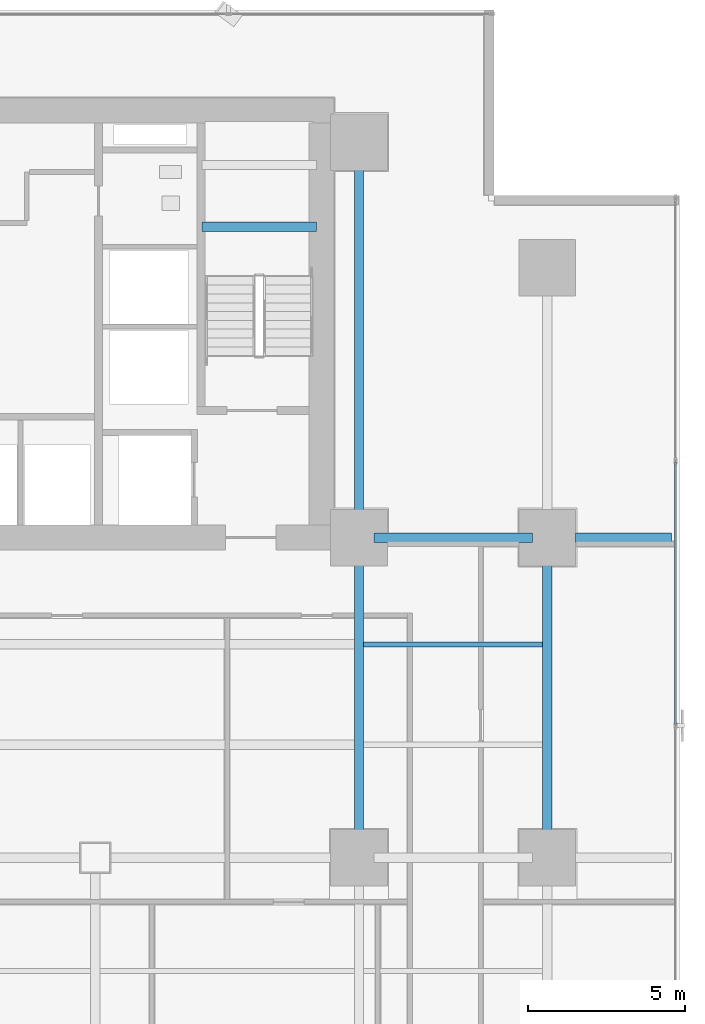
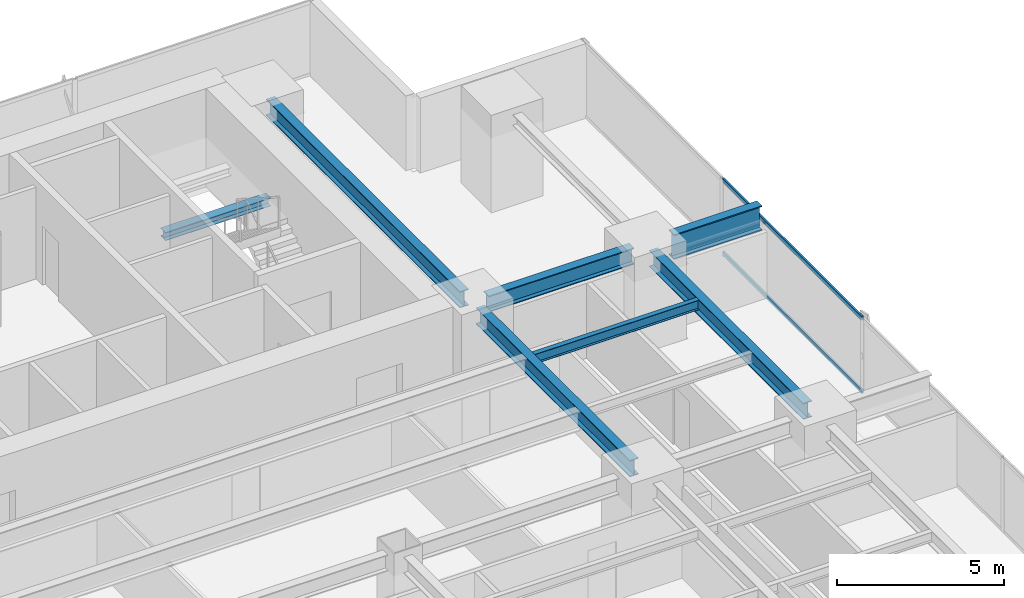
# One storey, part 19 of 32: 7 beams, 2 members, 1 element without a shape of its own.
"""IFC4 building model written with IfcOpenShell, lengths in metres."""

from ifc_helpers import new_model, si_unit, direction, frame, origin, origin_2d, place, context, subcontext, project, spatial, hollow_rectangle, i_section, extrude, source, transform, mapped, material, layer, layer_set, material_profile, profile_set, type_object, element, aggregate, save


model = new_model("IFC4")

# Units and contexts
model_context = context("Model", 3, precision=1e-05, world=origin(), true_north=direction((0.0, 1.0)))
body_context = subcontext(model_context, "Body", "Model", "MODEL_VIEW")
ifc_project = project(units=[si_unit("LENGTHUNIT", "METRE"), si_unit("AREAUNIT", "SQUARE_METRE"), si_unit("VOLUMEUNIT", "CUBIC_METRE"), si_unit("PLANEANGLEUNIT", "RADIAN"), si_unit("MASSUNIT", "GRAM", prefix="KILO")], contexts=[model_context])

# Site, building, storey
site_placement = place(None, origin())
site = spatial("IfcSite", under=ifc_project, at=site_placement, CompositionType="ELEMENT")
building_placement = place(site_placement, origin())
building = spatial("IfcBuilding", under=site, at=building_placement, Name="Sumidabori Civic Tower", CompositionType="ELEMENT")
storey_placement = place(building_placement, frame((0.0, 0.0, 52.39990234375)))
storey = spatial("IfcBuildingStorey", under=building, at=storey_placement, Name="L13", CompositionType="ELEMENT", Elevation=52.39990234375)

# Beams
ifc_material_1 = material(Name="Steel SN490", Category="steel")
ifc_material_profile_1 = material_profile(ifc_material_1, i_section(OverallWidth=0.300048828125, OverallDepth=0.300048828125, WebThickness=0.010986328125, FlangeThickness=0.01904296875, at=origin_2d()), Name="HE 300 B")
ifc_profile_set_1 = profile_set([ifc_material_profile_1], Name="Steel SN490")
beam_type_1 = type_object("IfcBeamType", Name="BM-LDG-300", PredefinedType="BEAM", material=ifc_profile_set_1)
shared_shape_1 = source(origin(), body_context, "Body", "SweptSolid", [
    extrude(i_section(OverallWidth=0.300048828125, OverallDepth=0.300048828125, WebThickness=0.010986328125, FlangeThickness=0.01904296875, at=origin_2d()), origin(), (0.0, 0.0, 1.0), 3.64990234375),
])
beam_1_placement = place(storey_placement, frame((11.800048828125, 20.09765625, 1.4501953125), z_axis=(1.0, 0.0, 0.0), x_axis=(0.0, 1.0, 0.0)))
element("IfcBeam", 1, at=beam_1_placement, inside=storey, type_object=beam_type_1, Name="Stair ST-2 Landing Support Beam L13-1A", PredefinedType="BEAM", context=body_context, shape_type="MappedRepresentation", body=[
    mapped(shared_shape_1, transform((0.0, 0.0, 0.0), x_axis=(1.0, 0.0, 0.0), y_axis=(0.0, 1.0, 0.0), z_axis=(0.0, 0.0, 1.0), scale=1.0)),
])
ifc_material_profile_2 = material_profile(ifc_material_1, i_section(OverallWidth=0.300048828125, OverallDepth=0.60009765625, WebThickness=0.015380859375, FlangeThickness=0.030029296875, at=origin_2d()), Name="HE 600 B")
ifc_profile_set_2 = profile_set([ifc_material_profile_2], Name="Steel SN490")
beam_type_2 = type_object("IfcBeamType", Name="BM-GIRD-600", PredefinedType="BEAM", material=ifc_profile_set_2)
shared_shape_2 = source(origin(), body_context, "Body", "SweptSolid", [
    extrude(i_section(OverallWidth=0.300048828125, OverallDepth=0.60009765625, WebThickness=0.015380859375, FlangeThickness=0.030029296875, at=origin_2d()), origin(), (0.0, 0.0, 1.0), 5.0400390625),
])
beam_2_placement = place(storey_placement, frame((17.280029296875, 10.199951171875, 3.06005859375), z_axis=(1.0, 0.0, 0.0), x_axis=(0.0, 1.0, 0.0)))
element("IfcBeam", 2, at=beam_2_placement, inside=storey, type_object=beam_type_2, Name="Primary Girder L13 GX-20", PredefinedType="BEAM", context=body_context, shape_type="MappedRepresentation", body=[
    mapped(shared_shape_2, transform((0.0, 0.0, 0.0), x_axis=(1.0, 0.0, 0.0), y_axis=(0.0, 1.0, 0.0), z_axis=(0.0, 0.0, 1.0), scale=1.0)),
])
shared_shape_3 = source(origin(), body_context, "Body", "SweptSolid", [
    extrude(i_section(OverallWidth=0.300048828125, OverallDepth=0.60009765625, WebThickness=0.015380859375, FlangeThickness=0.030029296875, at=origin_2d()), origin(), (0.0, 0.0, 1.0), 9.239990234375),
])
for number, where, z_axis, x_axis, name in (
    (3, (16.800048828125, 0.47998046875, 3.06005859375), (0.0, 1.0, 0.0), (-1.0, 0.0, 0.0), "Primary Girder L13 GY-37"),
    (4, (22.800048828125, 0.47998046875, 3.06005859375), (0.0, 1.0, 0.0), (-1.0, 0.0, 0.0), "Primary Girder L13 GY-41"),
):
    element("IfcBeam", number, at=place(storey_placement, frame(where, z_axis=z_axis, x_axis=x_axis)), inside=storey, type_object=beam_type_2, Name=name, PredefinedType="BEAM", context=body_context, shape_type="MappedRepresentation", body=[
        mapped(shared_shape_3, transform((0.0, 0.0, 0.0), x_axis=(1.0, 0.0, 0.0), y_axis=(0.0, 1.0, 0.0), z_axis=(0.0, 0.0, 1.0), scale=1.0)),
    ])
shared_shape_4 = source(origin(), body_context, "Body", "SweptSolid", [
    extrude(i_section(OverallWidth=0.300048828125, OverallDepth=0.60009765625, WebThickness=0.015380859375, FlangeThickness=0.030029296875, at=origin_2d()), origin(), (0.0, 0.0, 1.0), 11.64013671875),
])
beam_3_placement = place(storey_placement, frame((16.800048828125, 10.679931640625, 3.06005859375), z_axis=(0.0, 1.0, 0.0), x_axis=(-1.0, 0.0, 0.0)))
element("IfcBeam", 5, at=beam_3_placement, inside=storey, type_object=beam_type_2, Name="Primary Girder L13 GY-38", PredefinedType="BEAM", context=body_context, shape_type="MappedRepresentation", body=[
    mapped(shared_shape_4, transform((0.0, 0.0, 0.0), x_axis=(1.0, 0.0, 0.0), y_axis=(0.0, 1.0, 0.0), z_axis=(0.0, 0.0, 1.0), scale=1.0)),
])
ifc_material_profile_3 = material_profile(ifc_material_1, i_section(OverallWidth=0.302001953125, OverallDepth=0.909912109375, WebThickness=0.02099609375, FlangeThickness=0.0400390625, at=origin_2d()), Name="HE 900 M")
ifc_profile_set_3 = profile_set([ifc_material_profile_3], Name="Steel SN490")
beam_type_3 = type_object("IfcBeamType", Name="BM-Z1-EDGE", PredefinedType="SPANDREL", material=ifc_profile_set_3)
shared_shape_5 = source(origin(), body_context, "Body", "SweptSolid", [
    extrude(i_section(OverallWidth=0.302001953125, OverallDepth=0.909912109375, WebThickness=0.02099609375, FlangeThickness=0.0400390625, at=origin_2d()), origin(), (0.0, 0.0, 1.0), 3.050048828125),
])
beam_4_placement = place(storey_placement, frame((23.699951171875, 10.199951171875, 2.905029296875), z_axis=(1.0, 0.0, 0.0), x_axis=(0.0, 1.0, 0.0)))
element("IfcBeam", 6, at=beam_4_placement, inside=storey, type_object=beam_type_3, Name="Perimeter Overhang Beam L13 E-47", PredefinedType="SPANDREL", context=body_context, shape_type="MappedRepresentation", body=[
    mapped(shared_shape_5, transform((0.0, 0.0, 0.0), x_axis=(1.0, 0.0, 0.0), y_axis=(0.0, 1.0, 0.0), z_axis=(0.0, 0.0, 1.0), scale=1.0)),
])
ifc_material_profile_4 = material_profile(ifc_material_1, i_section(OverallWidth=0.169921875, OverallDepth=0.360107421875, WebThickness=0.008056640625, FlangeThickness=0.0126953125, at=origin_2d()), Name="IPE 360")
ifc_profile_set_4 = profile_set([ifc_material_profile_4], Name="Steel SN490")
beam_type_4 = type_object("IfcBeamType", Name="BM-JST-360", PredefinedType="JOIST", material=ifc_profile_set_4)
shared_shape_6 = source(origin(), body_context, "Body", "SweptSolid", [
    extrude(i_section(OverallWidth=0.169921875, OverallDepth=0.360107421875, WebThickness=0.008056640625, FlangeThickness=0.0126953125, at=origin_2d()), origin(), (0.0, 0.0, 1.0), 5.699951171875),
])
beam_5_placement = place(storey_placement, frame((16.949951171875, 6.800048828125, 3.18017578125), z_axis=(1.0, 0.0, 0.0), x_axis=(0.0, 1.0, 0.0)))
element("IfcBeam", 7, at=beam_5_placement, inside=storey, type_object=beam_type_4, Name="Outer Bay Floor Joist L13 JSTO-56", PredefinedType="JOIST", context=body_context, shape_type="MappedRepresentation", body=[
    mapped(shared_shape_6, transform((0.0, 0.0, 0.0), x_axis=(1.0, 0.0, 0.0), y_axis=(0.0, 1.0, 0.0), z_axis=(0.0, 0.0, 1.0), scale=1.0)),
])

# Curtain wall, members
ifc_material_2 = material(Name="Anodised Bronze Aluminium AW-6063-T6", Category="aluminium")
ifc_layer = layer(ifc_material_2, 0.179931640625, Name="Anodised Bronze Aluminium AW-6063-T6")
ifc_layer_set = layer_set([ifc_layer], Name="Anodised Bronze Aluminium AW-6063-T6")
curtain_wall_type = type_object("IfcCurtainWallType", Name="CW-SYS-2", PredefinedType="NOTDEFINED", material=ifc_layer_set)
curtain_wall_placement = place(storey_placement, origin())
curtain_wall = element("IfcCurtainWall", 8, at=curtain_wall_placement, inside=storey, type_object=curtain_wall_type, Name="Curtain Wall CW:L13:R04", PredefinedType="NOTDEFINED")
ifc_material_profile_5 = material_profile(ifc_material_2, hollow_rectangle(XDim=0.06494140625, YDim=0.14990234375, WallThickness=0.0048828125, at=origin_2d()), Name="ALU TRANSOM 150x65")
ifc_profile_set_5 = profile_set([ifc_material_profile_5], Name="Anodised Bronze Aluminium AW-6063-T6")
member_type = type_object("IfcMemberType", Name="CW-TRN-150", PredefinedType="USERDEFINED", material=ifc_profile_set_5)
shared_shape_7 = source(origin(), body_context, "Body", "SweptSolid", [
    extrude(hollow_rectangle(XDim=0.06494140625, YDim=0.14990234375, WallThickness=0.0048828125, at=origin_2d()), origin(), (0.0, 0.0, 1.0), 8.35791015625),
])
member_1_placement = place(storey_placement, frame((26.8798828125, 4.2490234375, 0.03271484375), z_axis=(0.0, 1.0, 0.0), x_axis=(-1.0, 0.0, 0.0)))
member_1 = element("IfcMember", 9, at=member_1_placement, type_object=member_type, Name="CW-2 transom 4.1", ObjectType="TRANSOM", PredefinedType="USERDEFINED", context=body_context, shape_type="MappedRepresentation", body=[
    mapped(shared_shape_7, transform((0.0, 0.0, 0.0), x_axis=(1.0, 0.0, 0.0), y_axis=(0.0, 1.0, 0.0), z_axis=(0.0, 0.0, 1.0), scale=1.0)),
])
member_2_placement = place(storey_placement, frame((26.8798828125, 4.2490234375, 2.70751953125), z_axis=(0.0, 1.0, 0.0), x_axis=(-1.0, 0.0, 0.0)))
member_2 = element("IfcMember", 10, at=member_2_placement, type_object=member_type, Name="CW-2 transom 4.2", ObjectType="TRANSOM", PredefinedType="USERDEFINED", context=body_context, shape_type="MappedRepresentation", body=[
    mapped(shared_shape_7, transform((0.0, 0.0, 0.0), x_axis=(1.0, 0.0, 0.0), y_axis=(0.0, 1.0, 0.0), z_axis=(0.0, 0.0, 1.0), scale=1.0)),
])
aggregate(curtain_wall, [member_1, member_2])

save(model, "model.ifc")
